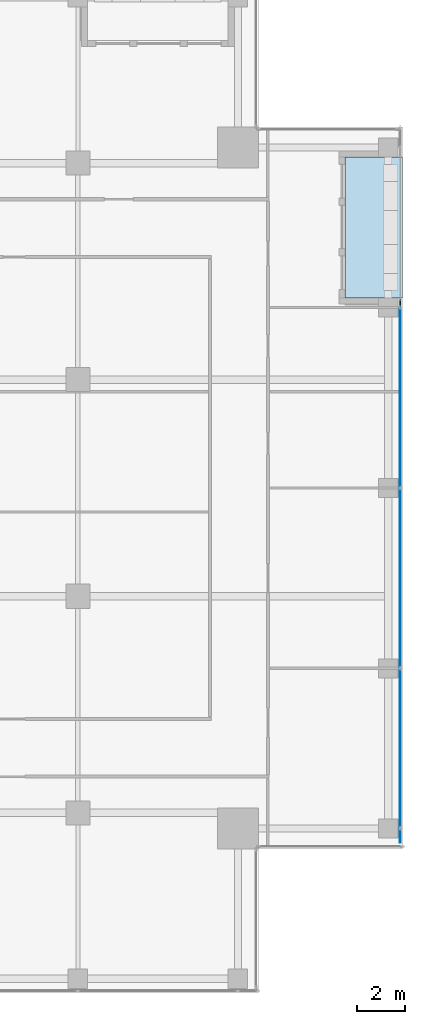
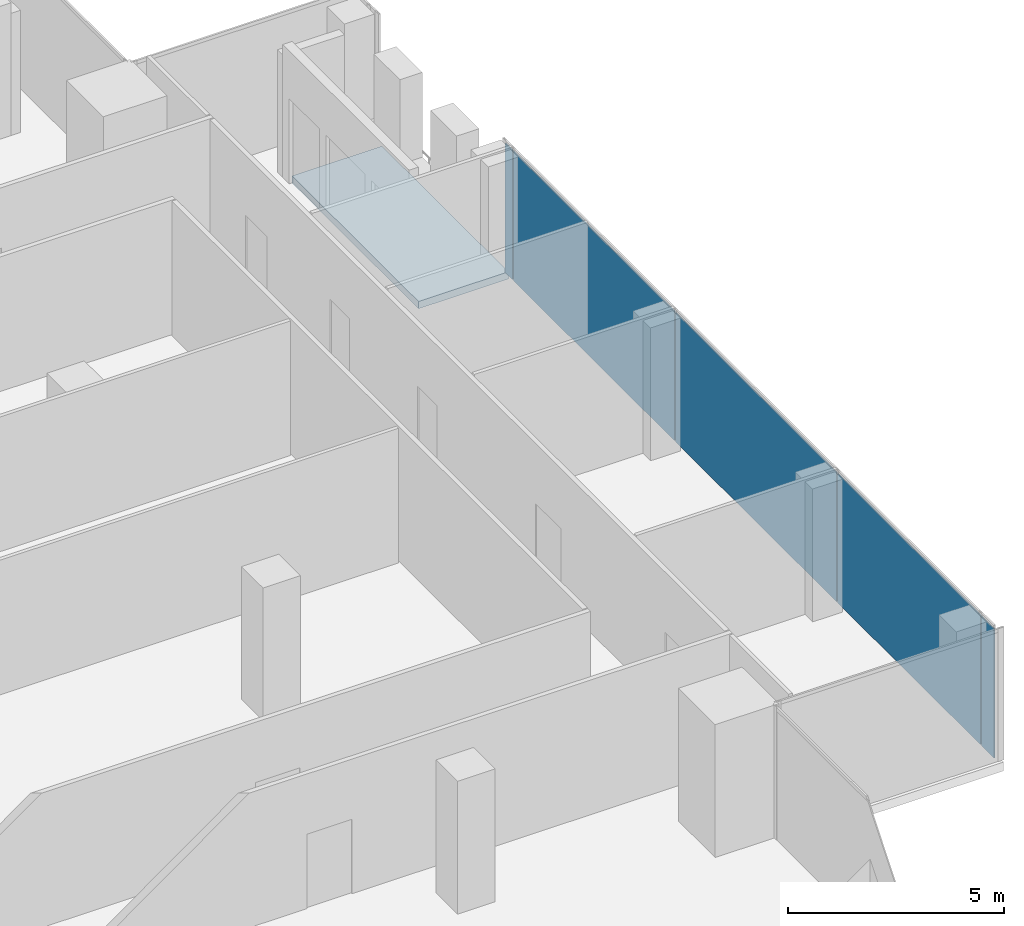
# One storey, part 22 of 29: 5 plates, 1 slab, 1 element without a shape of its own.
"""IFC4 building model written with IfcOpenShell, lengths in metres."""

from ifc_helpers import new_model, si_unit, direction, frame, origin, origin_2d, place, context, subcontext, project, spatial, polyline, rectangle, outline, extrude, source, transform, mapped, material, layer, layer_set, type_object, element, aggregate, save


model = new_model("IFC4")

# Units and contexts
model_context = context("Model", 3, precision=1e-05, world=origin(), true_north=direction((0.0, 1.0)))
body_context = subcontext(model_context, "Body", "Model", "MODEL_VIEW")
ifc_project = project(units=[si_unit("LENGTHUNIT", "METRE"), si_unit("AREAUNIT", "SQUARE_METRE"), si_unit("VOLUMEUNIT", "CUBIC_METRE"), si_unit("PLANEANGLEUNIT", "RADIAN"), si_unit("MASSUNIT", "GRAM", prefix="KILO")], contexts=[model_context])

# Site, building, storey
site_placement = place(None, origin())
site = spatial("IfcSite", under=ifc_project, at=site_placement, CompositionType="ELEMENT")
building_placement = place(site_placement, origin())
building = spatial("IfcBuilding", under=site, at=building_placement, Name="Khomas Fold Tower", CompositionType="ELEMENT")
storey_placement = place(building_placement, frame((0.0, 0.0, 310.199951171875)))
storey = spatial("IfcBuildingStorey", under=building, at=storey_placement, Name="L70", CompositionType="ELEMENT", Elevation=310.199951171875)

# Curtain wall, plates
ifc_material_1 = material(Name="Aluminium framed double glazing", Category="aluminium")
curtain_wall_type = type_object("IfcCurtainWallType", Name="SK-Unitised clear-glass wall, upper floors CW3", PredefinedType="NOTDEFINED", material=ifc_material_1)
curtain_wall_placement = place(storey_placement, origin())
curtain_wall = element("IfcCurtainWall", 1, at=curtain_wall_placement, inside=storey, type_object=curtain_wall_type, Name="CW3 run L70 03-0", PredefinedType="NOTDEFINED")
ifc_material_2 = material(Name="Clear double glazed unit")
ifc_layer_1 = layer(ifc_material_2, 0.028076171875)
ifc_layer_set_1 = layer_set([ifc_layer_1], Name="Clear double glazed unit")
plate_type = type_object("IfcPlateType", Name="SK-Unitised clear-glass wall, upper floors glass panel CW3-P", PredefinedType="CURTAIN_PANEL", material=ifc_layer_set_1)
shared_shape_1 = source(origin(), body_context, "Body", "SweptSolid", [
    extrude(rectangle(XDim=0.574951171875, YDim=0.028076171875, at=origin_2d()), origin(), (0.0, 0.0, 1.0), 3.64990234375),
])
plate_1_placement = place(storey_placement, frame((47.89990234375, 12.53759765625, 0.0), z_axis=(0.0, 0.0, 1.0), x_axis=(0.0, 1.0, 0.0)))
plate_1 = element("IfcPlate", 2, at=plate_1_placement, type_object=plate_type, Name="CW3 glass panel 1", PredefinedType="CURTAIN_PANEL", context=body_context, shape_type="MappedRepresentation", body=[
    mapped(shared_shape_1, transform((0.0, 0.0, 0.0))),
])
shared_shape_2 = source(origin(), body_context, "Body", "SweptSolid", [
    extrude(rectangle(XDim=6.60009765625, YDim=0.028076171875, at=origin_2d()), origin(), (0.0, 0.0, 1.0), 3.64990234375),
])
plate_2_placement = place(storey_placement, frame((47.89990234375, 16.175048828125, 0.0), z_axis=(0.0, 0.0, 1.0), x_axis=(0.0, 1.0, 0.0)))
plate_2 = element("IfcPlate", 3, at=plate_2_placement, type_object=plate_type, Name="CW3 glass panel 2", PredefinedType="CURTAIN_PANEL", context=body_context, shape_type="MappedRepresentation", body=[
    mapped(shared_shape_2, transform((0.0, 0.0, 0.0))),
])
shared_shape_3 = source(origin(), body_context, "Body", "SweptSolid", [
    extrude(rectangle(XDim=7.449951171875, YDim=0.028076171875, at=origin_2d()), origin(), (0.0, 0.0, 1.0), 3.64990234375),
])
plate_3_placement = place(storey_placement, frame((47.89990234375, 23.25, 0.0), z_axis=(0.0, 0.0, 1.0), x_axis=(0.0, 1.0, 0.0)))
plate_3 = element("IfcPlate", 4, at=plate_3_placement, type_object=plate_type, Name="CW3 glass panel 3", PredefinedType="CURTAIN_PANEL", context=body_context, shape_type="MappedRepresentation", body=[
    mapped(shared_shape_3, transform((0.0, 0.0, 0.0))),
])
plate_4_placement = place(storey_placement, frame((47.89990234375, 30.75, 0.0), z_axis=(0.0, 0.0, 1.0), x_axis=(0.0, 1.0, 0.0)))
plate_4 = element("IfcPlate", 5, at=plate_4_placement, type_object=plate_type, Name="CW3 glass panel 4", PredefinedType="CURTAIN_PANEL", context=body_context, shape_type="MappedRepresentation", body=[
    mapped(shared_shape_3, transform((0.0, 0.0, 0.0))),
])
shared_shape_4 = source(origin(), body_context, "Body", "SweptSolid", [
    extrude(rectangle(XDim=0.324951171875, YDim=0.028076171875, at=origin_2d()), origin(), (0.0, 0.0, 1.0), 3.64990234375),
])
plate_5_placement = place(storey_placement, frame((47.89990234375, 34.6875, 0.0), z_axis=(0.0, 0.0, 1.0), x_axis=(0.0, 1.0, 0.0)))
plate_5 = element("IfcPlate", 6, at=plate_5_placement, type_object=plate_type, Name="CW3 glass panel 5", PredefinedType="CURTAIN_PANEL", context=body_context, shape_type="MappedRepresentation", body=[
    mapped(shared_shape_4, transform((0.0, 0.0, 0.0))),
])
aggregate(curtain_wall, [plate_1, plate_2, plate_3, plate_4, plate_5])

# Slab
ifc_material_3 = material(Name="Concrete C40/50", Category="concrete")
ifc_layer_2 = layer(ifc_material_3, 0.205078125)
ifc_layer_set_2 = layer_set([ifc_layer_2], Name="Concrete C40/50")
slab_type = type_object("IfcSlabType", Name="BL-Balcony deck 205", PredefinedType="FLOOR", material=ifc_layer_set_2)
shared_shape_5 = source(origin(), body_context, "Body", "SweptSolid", [
    extrude(outline(polyline([(45.60009765625, 34.89990234375), (48.0, 34.89990234375), (48.0, 40.75), (45.60009765625, 40.75), (45.60009765625, 34.89990234375)])), origin(), (0.0, 0.0, 1.0), 0.205078125),
])
slab_placement = place(storey_placement, frame((0.0, 0.0, -0.25)))
element("IfcSlab", 7, at=slab_placement, inside=storey, type_object=slab_type, Name="Balcony deck BAL-L70-E4", PredefinedType="FLOOR", context=body_context, shape_type="MappedRepresentation", body=[
    mapped(shared_shape_5, transform((0.0, 0.0, 0.0))),
])

save(model, "model.ifc")
